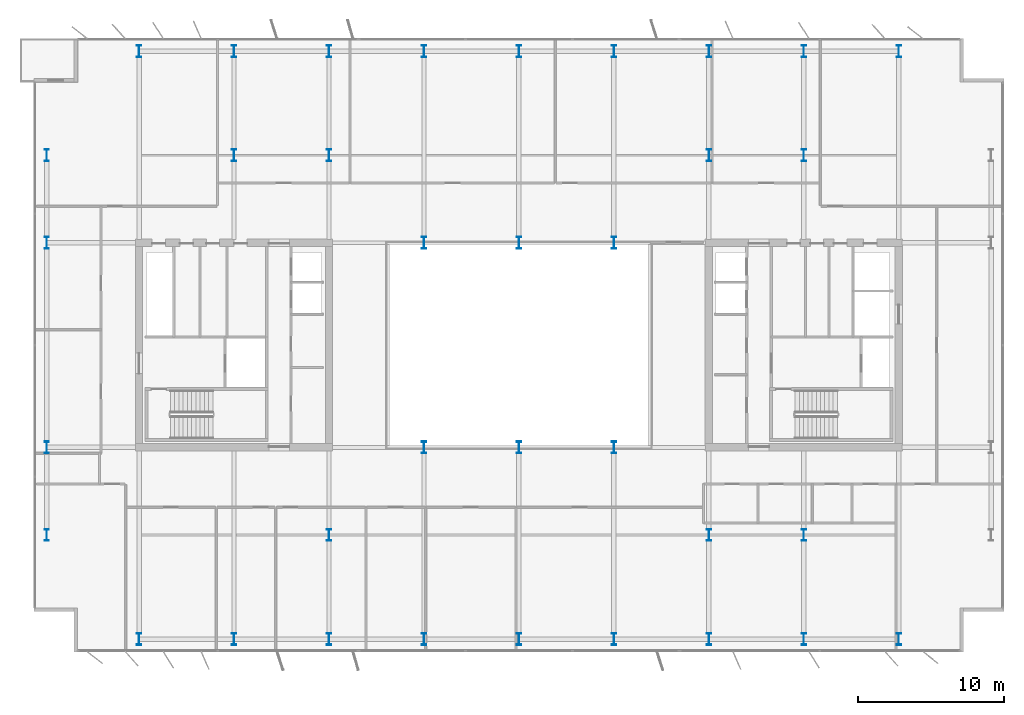
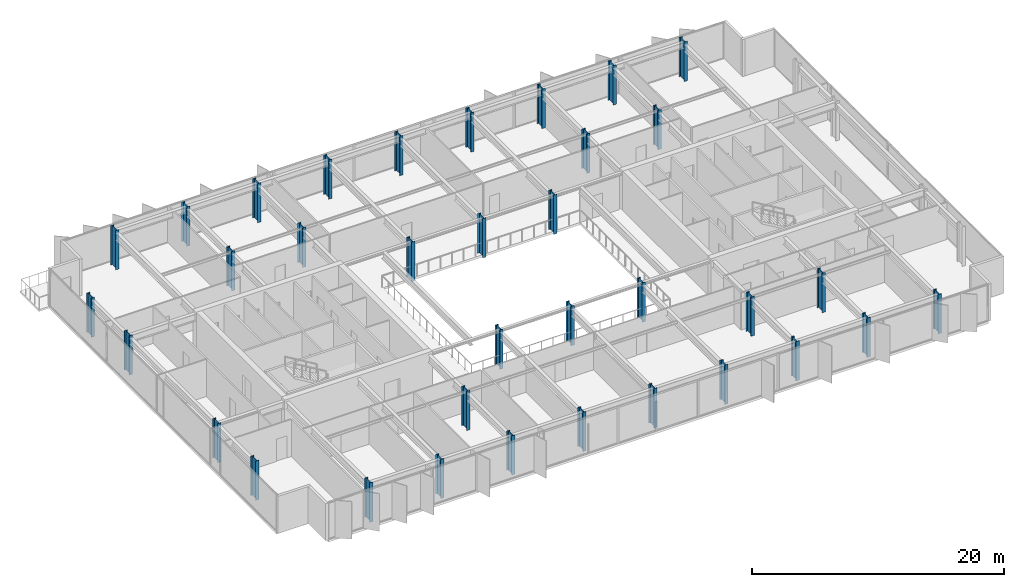
# One storey, part 1 of 23: 35 columns.
"""IFC4 building model written with IfcOpenShell, lengths in metres."""

from ifc_helpers import new_model, si_unit, direction, frame, origin, origin_2d, place, context, subcontext, project, spatial, i_section, extrude, material, material_profile, profile_set, type_object, element, save


model = new_model("IFC4")

# Units and contexts
model_context = context("Model", 3, precision=1e-05, world=origin(), true_north=direction((0.0, 1.0)))
body_context = subcontext(model_context, "Body", "Model", "MODEL_VIEW")
ifc_project = project(units=[si_unit("LENGTHUNIT", "METRE"), si_unit("AREAUNIT", "SQUARE_METRE"), si_unit("VOLUMEUNIT", "CUBIC_METRE"), si_unit("PLANEANGLEUNIT", "RADIAN"), si_unit("MASSUNIT", "GRAM", prefix="KILO")], contexts=[model_context])

# Site, building, storey
site_placement = place(None, origin())
site = spatial("IfcSite", under=ifc_project, at=site_placement, CompositionType="ELEMENT")
building_placement = place(site_placement, origin())
building = spatial("IfcBuilding", under=site, at=building_placement, Name="Putna Gate Headquarters", CompositionType="ELEMENT")
storey_placement = place(building_placement, frame((0.0, 0.0, 221.39990234375)))
storey = spatial("IfcBuildingStorey", under=building, at=storey_placement, Name="L55", CompositionType="ELEMENT", Elevation=221.39990234375)

# Columns
ifc_material = material(Name="Steel S460M", Category="steel")
ifc_material_profile_1 = material_profile(ifc_material, i_section(OverallWidth=0.302978515625, OverallDepth=0.81396484375, WebThickness=0.02099609375, FlangeThickness=0.0400390625, at=origin_2d()), Name="Steel S460M")
ifc_profile_set_1 = profile_set([ifc_material_profile_1], Name="Steel S460M")
column_type_1 = type_object("IfcColumnType", Name="COL-STL-HEM800-EXT", PredefinedType="COLUMN", material=ifc_profile_set_1)
for number, where, z_axis, x_axis, name in (
    (1, (13.0, 5.8798828125, 0.0), (0.0, 0.0, 1.0), (1.0, 0.0, 0.0), "L55 Column CP-S13"),
    (2, (13.0, 46.1201171875, 0.0), (0.0, 0.0, 1.0), (1.0, 0.0, 0.0), "L55 Column CP-N13"),
    (3, (19.5, 5.8798828125, 0.0), (0.0, 0.0, 1.0), (1.0, 0.0, 0.0), "L55 Column CP-S19"),
    (4, (19.5, 46.1201171875, 0.0), (0.0, 0.0, 1.0), (1.0, 0.0, 0.0), "L55 Column CP-N19"),
    (5, (26.0, 5.8798828125, 0.0), (0.0, 0.0, 1.0), (1.0, 0.0, 0.0), "L55 Column CP-S26"),
    (6, (26.0, 46.1201171875, 0.0), (0.0, 0.0, 1.0), (1.0, 0.0, 0.0), "L55 Column CP-N26"),
    (7, (32.5, 5.8798828125, 0.0), (0.0, 0.0, 1.0), (1.0, 0.0, 0.0), "L55 Column CP-S32"),
    (8, (32.5, 46.1201171875, 0.0), (0.0, 0.0, 1.0), (1.0, 0.0, 0.0), "L55 Column CP-N32"),
    (9, (39.0, 5.8798828125, 0.0), (0.0, 0.0, 1.0), (1.0, 0.0, 0.0), "L55 Column CP-S39"),
    (10, (39.0, 46.1201171875, 0.0), (0.0, 0.0, 1.0), (1.0, 0.0, 0.0), "L55 Column CP-N39"),
    (11, (45.5, 5.8798828125, 0.0), (0.0, 0.0, 1.0), (1.0, 0.0, 0.0), "L55 Column CP-S45"),
    (12, (45.5, 46.1201171875, 0.0), (0.0, 0.0, 1.0), (1.0, 0.0, 0.0), "L55 Column CP-N45"),
    (13, (52.0, 5.8798828125, 0.0), (0.0, 0.0, 1.0), (1.0, 0.0, 0.0), "L55 Column CP-S52"),
    (14, (52.0, 46.1201171875, 0.0), (0.0, 0.0, 1.0), (1.0, 0.0, 0.0), "L55 Column CP-N52"),
    (15, (58.5, 5.8798828125, 0.0), (0.0, 0.0, 1.0), (1.0, 0.0, 0.0), "L55 Column CP-S58"),
    (16, (58.5, 46.1201171875, 0.0), (0.0, 0.0, 1.0), (1.0, 0.0, 0.0), "L55 Column CP-N58"),
    (17, (65.0, 5.8798828125, 0.0), (0.0, 0.0, 1.0), (1.0, 0.0, 0.0), "L55 Column CP-S65"),
    (18, (65.0, 46.1201171875, 0.0), (0.0, 0.0, 1.0), (1.0, 0.0, 0.0), "L55 Column CP-N65"),
    (19, (6.679931640625, 13.0, 0.0), (0.0, 0.0, 1.0), (1.0, 0.0, 0.0), "L55 Column CP-W13"),
    (20, (6.679931640625, 19.0, 0.0), (0.0, 0.0, 1.0), (1.0, 0.0, 0.0), "L55 Column CP-W19"),
    (21, (6.679931640625, 33.0, 0.0), (0.0, 0.0, 1.0), (1.0, 0.0, 0.0), "L55 Column CP-W33"),
    (22, (6.679931640625, 39.0, 0.0), (0.0, 0.0, 1.0), (1.0, 0.0, 0.0), "L55 Column CP-W39"),
):
    element("IfcColumn", number, at=place(storey_placement, frame(where, z_axis=z_axis, x_axis=x_axis)), inside=storey, type_object=column_type_1, Name=name, PredefinedType="COLUMN", context=body_context, shape_type="SweptSolid", body=[
        extrude(i_section(OverallWidth=0.302978515625, OverallDepth=0.81396484375, WebThickness=0.02099609375, FlangeThickness=0.0400390625, at=origin_2d()), origin(), (0.0, 0.0, 1.0), 3.800048828125),
    ])
ifc_material_profile_2 = material_profile(ifc_material, i_section(OverallWidth=0.302978515625, OverallDepth=0.81396484375, WebThickness=0.02099609375, FlangeThickness=0.0400390625, at=origin_2d()), Name="Steel S460M")
ifc_profile_set_2 = profile_set([ifc_material_profile_2], Name="Steel S460M")
column_type_2 = type_object("IfcColumnType", Name="COL-STL-HEM800-INT", PredefinedType="COLUMN", material=ifc_profile_set_2)
for number, where, z_axis, x_axis, name in (
    (23, (19.5, 39.0, 0.0), (0.0, 0.0, 1.0), (1.0, 0.0, 0.0), "L55 Column CSI-WN"),
    (24, (58.5, 13.0, 0.0), (0.0, 0.0, 1.0), (1.0, 0.0, 0.0), "L55 Column CSI-ES"),
    (25, (58.5, 39.0, 0.0), (0.0, 0.0, 1.0), (1.0, 0.0, 0.0), "L55 Column CSI-EN"),
    (26, (32.5, 19.0, 0.0), (0.0, 0.0, 1.0), (1.0, 0.0, 0.0), "L55 Column CAI-S32"),
    (27, (32.5, 33.0, 0.0), (0.0, 0.0, 1.0), (1.0, 0.0, 0.0), "L55 Column CAI-N32"),
    (28, (39.0, 19.0, 0.0), (0.0, 0.0, 1.0), (1.0, 0.0, 0.0), "L55 Column CAI-S39"),
    (29, (39.0, 33.0, 0.0), (0.0, 0.0, 1.0), (1.0, 0.0, 0.0), "L55 Column CAI-N39"),
    (30, (45.5, 19.0, 0.0), (0.0, 0.0, 1.0), (1.0, 0.0, 0.0), "L55 Column CAI-S45"),
    (31, (45.5, 33.0, 0.0), (0.0, 0.0, 1.0), (1.0, 0.0, 0.0), "L55 Column CAI-N45"),
    (32, (26.0, 13.0, 0.0), (0.0, 0.0, 1.0), (1.0, 0.0, 0.0), "L55 Column CAP-WS"),
    (33, (26.0, 39.0, 0.0), (0.0, 0.0, 1.0), (1.0, 0.0, 0.0), "L55 Column CAP-WN"),
    (34, (52.0, 13.0, 0.0), (0.0, 0.0, 1.0), (1.0, 0.0, 0.0), "L55 Column CAP-ES"),
    (35, (52.0, 39.0, 0.0), (0.0, 0.0, 1.0), (1.0, 0.0, 0.0), "L55 Column CAP-EN"),
):
    element("IfcColumn", number, at=place(storey_placement, frame(where, z_axis=z_axis, x_axis=x_axis)), inside=storey, type_object=column_type_2, Name=name, PredefinedType="COLUMN", context=body_context, shape_type="SweptSolid", body=[
        extrude(i_section(OverallWidth=0.302978515625, OverallDepth=0.81396484375, WebThickness=0.02099609375, FlangeThickness=0.0400390625, at=origin_2d()), origin(), (0.0, 0.0, 1.0), 3.800048828125),
    ])

save(model, "model.ifc")
